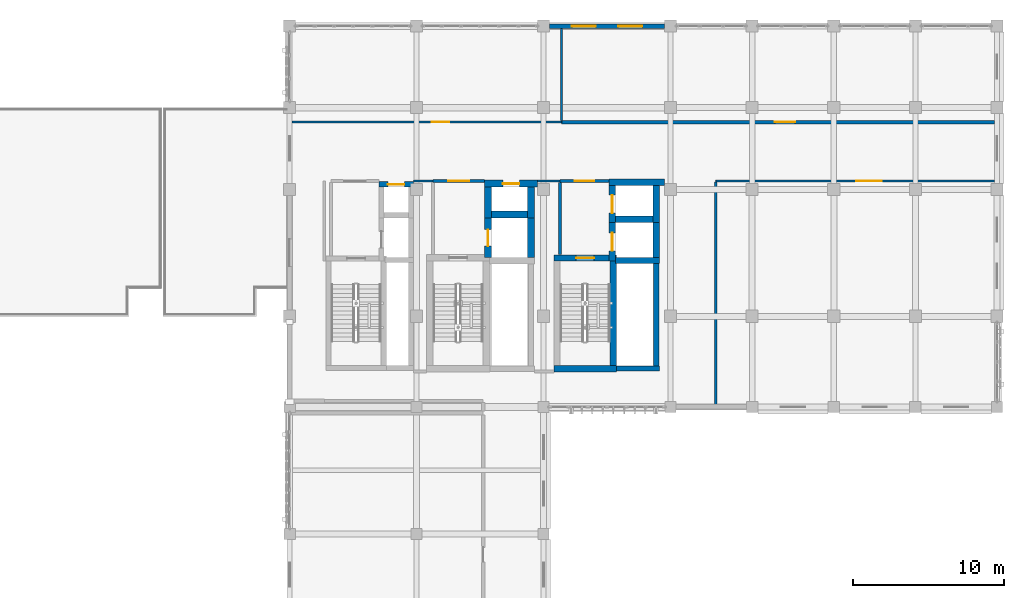
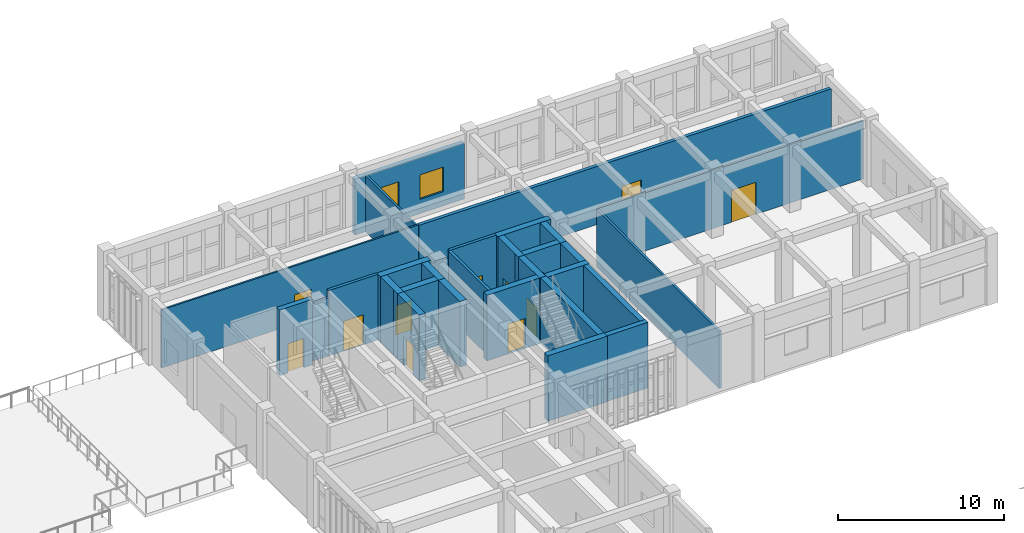
# One storey, part 81 of 93: 30 walls, 11 doors, 2 windows, 13 openings.
"""IFC4 building model written with IfcOpenShell, lengths in metres."""

from ifc_helpers import new_model, si_unit, direction, frame, frame_2d, origin, place, context, subcontext, project, spatial, rectangle, extrude, material, layer, layer_set, type_object, element, fill, save


model = new_model("IFC4")

# Units and contexts
model_context = context("Model", 3, precision=1e-05, world=origin(), true_north=direction((0.0, 1.0)))
body_context = subcontext(model_context, "Body", "Model", "MODEL_VIEW")
ifc_project = project(units=[si_unit("LENGTHUNIT", "METRE"), si_unit("AREAUNIT", "SQUARE_METRE"), si_unit("VOLUMEUNIT", "CUBIC_METRE"), si_unit("PLANEANGLEUNIT", "RADIAN"), si_unit("MASSUNIT", "GRAM", prefix="KILO")], contexts=[model_context])

# Site, building, storey
site_placement = place(None, origin())
site = spatial("IfcSite", under=ifc_project, at=site_placement, CompositionType="ELEMENT")
building_placement = place(site_placement, origin())
building = spatial("IfcBuilding", under=site, at=building_placement, Name="Krzemoval Escarpment Law Courts", CompositionType="ELEMENT")
storey_placement = place(building_placement, frame((0.0, 0.0, 10.199951171875)))
storey = spatial("IfcBuildingStorey", under=building, at=storey_placement, Name="L02", CompositionType="ELEMENT", Elevation=10.199951171875)

# Wall, openings, windows
ifc_material_1 = material(Name="Precast concrete C40/50", Category="concrete")
ifc_layer_1 = layer(ifc_material_1, 0.300048828125)
ifc_layer_set_1 = layer_set([ifc_layer_1], Name="Precast concrete C40/50")
wall_type_1 = type_object("IfcWallType", Name="WL-EXT-300", PredefinedType="SOLIDWALL", material=ifc_layer_set_1)
wall_1_placement = place(storey_placement, frame((143.199951171875, 118.800048828125, 0.0), z_axis=(0.0, 0.0, 1.0), x_axis=(1.0, 0.0, 0.0)))
wall_1 = element("IfcWall", 1, at=wall_1_placement, inside=storey, type_object=wall_type_1, Name="Exterior Wall EW-L02-0310", PredefinedType="SOLIDWALL", context=body_context, shape_type="SweptSolid", body=[
    extrude(rectangle(XDim=7.60009765625, YDim=0.300048828125, at=frame_2d((3.800048828125, 0.0))), origin(), (0.0, 0.0, 1.0), 4.1201171875),
])
opening_1_placement = place(wall_1_placement, frame((1.467041015625, 0.0, 1.050048828125)))
opening_1 = element("IfcOpeningElement", 2, at=opening_1_placement, cuts=wall_1, Name="Opening WN-L02-0338", PredefinedType="OPENING", context=body_context, shape_type="SweptSolid", body=[
    extrude(rectangle(XDim=1.60009765625, YDim=1.800048828125, at=frame_2d((0.800048828125, 0.89990234375))), frame((0.0, 0.16502, 0.0), z_axis=(0.0, -1.0, 0.0), x_axis=(1.0, 0.0, 0.0)), (0.0, 0.0, 1.0), 0.33005),
])
opening_2_placement = place(wall_1_placement, frame((4.532958984375, 0.0, 1.050048828125)))
opening_2 = element("IfcOpeningElement", 3, at=opening_2_placement, cuts=wall_1, Name="Opening WN-L02-0339", PredefinedType="OPENING", context=body_context, shape_type="SweptSolid", body=[
    extrude(rectangle(XDim=1.60009765625, YDim=1.800048828125, at=frame_2d((0.800048828125, 0.89990234375))), frame((0.0, 0.16502, 0.0), z_axis=(0.0, -1.0, 0.0), x_axis=(1.0, 0.0, 0.0)), (0.0, 0.0, 1.0), 0.33005),
])
ifc_material_2 = material(Name="Thermally Broken Aluminium Frame with Triple Low-E Acoustic Glass", Category="aluminium")
window_type = type_object("IfcWindowType", Name="WN-1600x1800", PartitioningType="SINGLE_PANEL", PredefinedType="WINDOW", material=ifc_material_2)
window_1_placement = place(opening_1_placement, origin())
window_1 = element("IfcWindow", 4, at=window_1_placement, inside=storey, type_object=window_type, Name="Facade Window WN-L02-0338", OverallHeight=1.800048828125, OverallWidth=1.60009765625, PartitioningType="SINGLE_PANEL", PredefinedType="WINDOW", context=body_context, shape_type="SweptSolid", body=[
    extrude(rectangle(XDim=1.60009765625, YDim=1.800048828125, at=frame_2d((0.800048828125, 0.89990234375))), frame((0.0, 0.030029296875, 0.0), z_axis=(0.0, -1.0, 0.0), x_axis=(1.0, 0.0, 0.0)), (0.0, 0.0, 1.0), 0.06005859375),
])
fill(opening_1, window_1)
window_2_placement = place(opening_2_placement, origin())
window_2 = element("IfcWindow", 5, at=window_2_placement, inside=storey, type_object=window_type, Name="Facade Window WN-L02-0339", OverallHeight=1.800048828125, OverallWidth=1.60009765625, PartitioningType="SINGLE_PANEL", PredefinedType="WINDOW", context=body_context, shape_type="SweptSolid", body=[
    extrude(rectangle(XDim=1.60009765625, YDim=1.800048828125, at=frame_2d((0.800048828125, 0.89990234375))), frame((0.0, 0.030029296875, 0.0), z_axis=(0.0, -1.0, 0.0), x_axis=(1.0, 0.0, 0.0)), (0.0, 0.0, 1.0), 0.06005859375),
])
fill(opening_2, window_2)

# Wall, opening, door
ifc_material_3 = material(Name="Light Internal Subdivision Partition", Category="gypsum")
ifc_layer_2 = layer(ifc_material_3, 0.114990234375)
ifc_layer_set_2 = layer_set([ifc_layer_2], Name="Light Internal Subdivision Partition")
wall_type_2 = type_object("IfcWallType", Name="WL-PRT-115", PredefinedType="PARTITIONING", material=ifc_layer_set_2)
wall_2_placement = place(storey_placement, frame((126.152099609375, 112.449951171875, 0.0), z_axis=(0.0, 0.0, 1.0), x_axis=(1.0, 0.0, 0.0)))
wall_2 = element("IfcWall", 6, at=wall_2_placement, inside=storey, type_object=wall_type_2, Name="Interior Partition PW-L02-0419", PredefinedType="PARTITIONING", context=body_context, shape_type="SweptSolid", body=[
    extrude(rectangle(XDim=17.847900390625, YDim=0.114990234375, at=frame_2d((8.923828125, 0.0))), origin(), (0.0, 0.0, 1.0), 4.27001953125),
])
opening_3_placement = place(wall_2_placement, frame((9.2490234375, 0.0, 0.0)))
opening_3 = element("IfcOpeningElement", 7, at=opening_3_placement, cuts=wall_2, Name="Opening D-L02-0162", PredefinedType="OPENING", context=body_context, shape_type="SweptSolid", body=[
    extrude(rectangle(XDim=1.14990234375, YDim=2.14990234375, at=frame_2d((0.574951171875, 1.074951171875))), frame((0.0, 0.0725, 0.0), z_axis=(0.0, -1.0, 0.0), x_axis=(1.0, 0.0, 0.0)), (0.0, 0.0, 1.0), 0.14499),
])
ifc_material_4 = material(Name="Engineered Solid-Core Oak Acoustic Timber", Category="wood")
door_type_1 = type_object("IfcDoorType", Name="DR-INT-1150x2150", OperationType="SINGLE_SWING_LEFT", PredefinedType="DOOR", material=ifc_material_4)
door_1_placement = place(opening_3_placement, origin())
door_1 = element("IfcDoor", 8, at=door_1_placement, inside=storey, type_object=door_type_1, Name="Room Door D-L02-0162", OperationType="SINGLE_SWING_LEFT", OverallHeight=2.14990234375, OverallWidth=1.14990234375, PredefinedType="DOOR", context=body_context, shape_type="SweptSolid", body=[
    extrude(rectangle(XDim=1.14990234375, YDim=2.14990234375, at=frame_2d((0.574951171875, 1.074951171875))), frame((0.0, 0.02490234375, 0.0), z_axis=(0.0, -1.0, 0.0), x_axis=(1.0, 0.0, 0.0)), (0.0, 0.0, 1.0), 0.050048828125),
])
fill(opening_3, door_1)

ifc_material_5 = material(Name="Standard Metal-Stud Gypsum Partition", Category="gypsum")
ifc_layer_3 = layer(ifc_material_5, 0.125)
ifc_layer_set_3 = layer_set([ifc_layer_3], Name="Standard Metal-Stud Gypsum Partition")
wall_type_3 = type_object("IfcWallType", Name="WL-PRT-125", PredefinedType="PARTITIONING", material=ifc_layer_set_3)
wall_3_placement = place(storey_placement, frame((154.199951171875, 108.550048828125, 0.0), z_axis=(0.0, 0.0, 1.0), x_axis=(1.0, 0.0, 0.0)))
wall_3 = element("IfcWall", 9, at=wall_3_placement, inside=storey, type_object=wall_type_3, Name="Interior Partition PW-L02-0418", PredefinedType="PARTITIONING", context=body_context, shape_type="SweptSolid", body=[
    extrude(rectangle(XDim=18.447998046875, YDim=0.125, at=frame_2d((9.22412109375, 0.0))), origin(), (0.0, 0.0, 1.0), 4.27001953125),
])
opening_4_placement = place(wall_3_placement, frame((9.27392578125, 0.0, 0.0)))
opening_4 = element("IfcOpeningElement", 10, at=opening_4_placement, cuts=wall_3, Name="Opening D-L02-0164", PredefinedType="OPENING", context=body_context, shape_type="SweptSolid", body=[
    extrude(rectangle(XDim=1.699951171875, YDim=2.35009765625, at=frame_2d((0.85009765625, 1.175048828125))), frame((0.0, 0.0775, 0.0), z_axis=(0.0, -1.0, 0.0), x_axis=(1.0, 0.0, 0.0)), (0.0, 0.0, 1.0), 0.155),
])
ifc_material_6 = material(Name="Engineered Solid-Core Oak Acoustic Timber", Category="wood")
door_type_2 = type_object("IfcDoorType", Name="DR-INT-1700x2350", OperationType="SINGLE_SWING_LEFT", PredefinedType="DOOR", material=ifc_material_6)
door_2_placement = place(opening_4_placement, origin())
door_2 = element("IfcDoor", 11, at=door_2_placement, inside=storey, type_object=door_type_2, Name="Room Door D-L02-0164", OperationType="SINGLE_SWING_LEFT", OverallHeight=2.35009765625, OverallWidth=1.699951171875, PredefinedType="DOOR", context=body_context, shape_type="SweptSolid", body=[
    extrude(rectangle(XDim=1.699951171875, YDim=2.35009765625, at=frame_2d((0.85009765625, 1.175048828125))), frame((0.0, 0.02490234375, 0.0), z_axis=(0.0, -1.0, 0.0), x_axis=(1.0, 0.0, 0.0)), (0.0, 0.0, 1.0), 0.050048828125),
])
fill(opening_4, door_2)

# Walls
ifc_material_7 = material(Name="Sanitary Moisture-Resistant Partition", Category="gypsum")
ifc_layer_4 = layer(ifc_material_7, 0.139892578125)
ifc_layer_set_4 = layer_set([ifc_layer_4], Name="Sanitary Moisture-Resistant Partition")
wall_type_4 = type_object("IfcWallType", Name="WL-PRT-140", PredefinedType="PARTITIONING", material=ifc_layer_set_4)
wall_4_placement = place(storey_placement, frame((142.405029296875, 108.550048828125, 0.0), z_axis=(0.0, 0.0, 1.0), x_axis=(1.0, 0.0, 0.0)))
element("IfcWall", 12, at=wall_4_placement, inside=storey, type_object=wall_type_4, Name="Interior Partition PW-L02-0417", PredefinedType="PARTITIONING", context=body_context, shape_type="SweptSolid", body=[
    extrude(rectangle(XDim=1.494873046875, YDim=0.139892578125, at=frame_2d((0.74755859375, 0.0))), origin(), (0.0, 0.0, 1.0), 4.27001953125),
])
wall_5_placement = place(storey_placement, frame((144.0, 112.56689453125, 0.0), z_axis=(0.0, 0.0, 1.0), x_axis=(0.0, 1.0, 0.0)))
element("IfcWall", 13, at=wall_5_placement, inside=storey, type_object=wall_type_4, Name="Interior Partition PW-L02-0482", PredefinedType="PARTITIONING", context=body_context, shape_type="SweptSolid", body=[
    extrude(rectangle(XDim=6.0810546875, YDim=0.139892578125, at=frame_2d((3.04052734375, 0.0))), origin(), (0.0, 0.0, 1.0), 4.1201171875),
])
ifc_material_8 = material(Name="Office Acoustic Partition Wall", Category="gypsum")
ifc_layer_5 = layer(ifc_material_8, 0.14990234375)
ifc_layer_set_5 = layer_set([ifc_layer_5], Name="Office Acoustic Partition Wall")
wall_type_5 = type_object("IfcWallType", Name="WL-PRT-150", PredefinedType="PARTITIONING", material=ifc_layer_set_5)
wall_6_placement = place(storey_placement, frame((134.199951171875, 108.550048828125, 0.0), z_axis=(0.0, 0.0, 1.0), x_axis=(1.0, 0.0, 0.0)))
element("IfcWall", 14, at=wall_6_placement, inside=storey, type_object=wall_type_5, Name="Interior Partition PW-L02-0416", PredefinedType="PARTITIONING", context=body_context, shape_type="SweptSolid", body=[
    extrude(rectangle(XDim=1.300048828125, YDim=0.14990234375, at=frame_2d((0.64990234375, 0.0))), origin(), (0.0, 0.0, 1.0), 4.27001953125),
])
wall_7_placement = place(storey_placement, frame((154.199951171875, 93.751953125, 0.0), z_axis=(0.0, 0.0, 1.0), x_axis=(0.0, 1.0, 0.0)))
element("IfcWall", 15, at=wall_7_placement, inside=storey, type_object=wall_type_5, Name="Interior Partition PW-L02-0483", PredefinedType="PARTITIONING", context=body_context, shape_type="SweptSolid", body=[
    extrude(rectangle(XDim=14.734130859375, YDim=0.14990234375, at=frame_2d((7.3671875, 0.0))), origin(), (0.0, 0.0, 1.0), 4.219970703125),
])

# Wall, opening, door
ifc_material_9 = material(Name="Fire-Rated Corridor Partition Wall", Category="gypsum")
ifc_layer_6 = layer(ifc_material_9, 0.199951171875)
ifc_layer_set_6 = layer_set([ifc_layer_6], Name="Fire-Rated Corridor Partition Wall")
wall_type_6 = type_object("IfcWallType", Name="WL-PRT-200", PredefinedType="PARTITIONING", material=ifc_layer_set_6)
wall_8_placement = place(storey_placement, frame((135.5, 108.550048828125, 0.0), z_axis=(0.0, 0.0, 1.0), x_axis=(1.0, 0.0, 0.0)))
wall_8 = element("IfcWall", 16, at=wall_8_placement, inside=storey, type_object=wall_type_6, Name="Interior Partition PW-L02-0414", PredefinedType="PARTITIONING", context=body_context, shape_type="SweptSolid", body=[
    extrude(rectangle(XDim=3.39990234375, YDim=0.199951171875, at=frame_2d((1.699951171875, 0.0))), origin(), (0.0, 0.0, 1.0), 4.820068359375),
])
opening_5_placement = place(wall_8_placement, frame((1.0, 0.0, 0.0)))
opening_5 = element("IfcOpeningElement", 17, at=opening_5_placement, cuts=wall_8, Name="Opening D-L02-0127", PredefinedType="OPENING", context=body_context, shape_type="SweptSolid", body=[
    extrude(rectangle(XDim=1.39990234375, YDim=2.199951171875, at=frame_2d((0.699951171875, 1.10009765625))), frame((0.0, 0.11498, 0.0), z_axis=(0.0, -1.0, 0.0), x_axis=(1.0, 0.0, 0.0)), (0.0, 0.0, 1.0), 0.22995),
])
ifc_material_10 = material(Name="Galvanised Steel S355", Category="steel")
door_type_3 = type_object("IfcDoorType", Name="DR-FFL-1400x2200", OperationType="SINGLE_SWING_LEFT", PredefinedType="DOOR", material=ifc_material_10)
door_3_placement = place(opening_5_placement, origin())
door_3 = element("IfcDoor", 18, at=door_3_placement, inside=storey, type_object=door_type_3, Name="Room Door D-L02-0127", OperationType="SINGLE_SWING_LEFT", OverallHeight=2.199951171875, OverallWidth=1.39990234375, PredefinedType="DOOR", context=body_context, shape_type="SweptSolid", body=[
    extrude(rectangle(XDim=1.39990234375, YDim=2.199951171875, at=frame_2d((0.699951171875, 1.10009765625))), frame((0.0, 0.02490234375, 0.0), z_axis=(0.0, -1.0, 0.0), x_axis=(1.0, 0.0, 0.0)), (0.0, 0.0, 1.0), 0.050048828125),
])
fill(opening_5, door_3)

wall_9_placement = place(storey_placement, frame((143.89990234375, 108.550048828125, 0.0), z_axis=(0.0, 0.0, 1.0), x_axis=(1.0, 0.0, 0.0)))
wall_9 = element("IfcWall", 19, at=wall_9_placement, inside=storey, type_object=wall_type_6, Name="Interior Partition PW-L02-0415", PredefinedType="PARTITIONING", context=body_context, shape_type="SweptSolid", body=[
    extrude(rectangle(XDim=3.22998046875, YDim=0.199951171875, at=frame_2d((1.614990234375, 0.0))), origin(), (0.0, 0.0, 1.0), 4.820068359375),
])
opening_6_placement = place(wall_9_placement, frame((0.965087890625, 0.0, 0.0)))
opening_6 = element("IfcOpeningElement", 20, at=opening_6_placement, cuts=wall_9, Name="Opening D-L02-0128", PredefinedType="OPENING", context=body_context, shape_type="SweptSolid", body=[
    extrude(rectangle(XDim=1.300048828125, YDim=2.199951171875, at=frame_2d((0.64990234375, 1.10009765625))), frame((0.0, 0.11498, 0.0), z_axis=(0.0, -1.0, 0.0), x_axis=(1.0, 0.0, 0.0)), (0.0, 0.0, 1.0), 0.22995),
])
ifc_material_11 = material(Name="Galvanised Steel S355", Category="steel")
door_type_4 = type_object("IfcDoorType", Name="DR-STR-1300x2200", OperationType="SINGLE_SWING_LEFT", PredefinedType="DOOR", material=ifc_material_11)
door_4_placement = place(opening_6_placement, origin())
door_4 = element("IfcDoor", 21, at=door_4_placement, inside=storey, type_object=door_type_4, Name="Room Door D-L02-0128", OperationType="SINGLE_SWING_LEFT", OverallHeight=2.199951171875, OverallWidth=1.300048828125, PredefinedType="DOOR", context=body_context, shape_type="SweptSolid", body=[
    extrude(rectangle(XDim=1.300048828125, YDim=2.199951171875, at=frame_2d((0.64990234375, 1.10009765625))), frame((0.0, 0.02490234375, 0.0), z_axis=(0.0, -1.0, 0.0), x_axis=(1.0, 0.0, 0.0)), (0.0, 0.0, 1.0), 0.050048828125),
])
fill(opening_6, door_4)

# Wall
wall_10_placement = place(storey_placement, frame((143.89990234375, 103.672119140625, 0.0), z_axis=(0.0, 0.0, 1.0), x_axis=(0.0, 1.0, 0.0)))
element("IfcWall", 22, at=wall_10_placement, inside=storey, type_object=wall_type_6, Name="Interior Partition PW-L02-0481", PredefinedType="PARTITIONING", context=body_context, shape_type="SweptSolid", body=[
    extrude(rectangle(XDim=4.77587890625, YDim=0.199951171875, at=frame_2d((2.387939453125, 0.0))), origin(), (0.0, 0.0, 1.0), 4.820068359375),
])

# Wall, opening, door
ifc_material_12 = material(Name="Acoustic Calcium-Silicate Block Wall", Category="masonry")
ifc_layer_7 = layer(ifc_material_12, 0.22998046875)
ifc_layer_set_7 = layer_set([ifc_layer_7], Name="Acoustic Calcium-Silicate Block Wall")
wall_type_7 = type_object("IfcWallType", Name="WL-PRT-230", PredefinedType="SOLIDWALL", material=ifc_layer_set_7)
wall_11_placement = place(storey_placement, frame((144.0, 112.449951171875, 0.0), z_axis=(0.0, 0.0, 1.0), x_axis=(1.0, 0.0, 0.0)))
wall_11 = element("IfcWall", 23, at=wall_11_placement, inside=storey, type_object=wall_type_7, Name="Interior Partition PW-L02-0420", PredefinedType="SOLIDWALL", context=body_context, shape_type="SweptSolid", body=[
    extrude(rectangle(XDim=28.64794921875, YDim=0.22998046875, at=frame_2d((14.323974609375, 0.0))), origin(), (0.0, 0.0, 1.0), 4.27001953125),
])
opening_7_placement = place(wall_11_placement, frame((14.09912109375, 0.0, 0.0)))
opening_7 = element("IfcOpeningElement", 24, at=opening_7_placement, cuts=wall_11, Name="Opening D-L02-0163", PredefinedType="OPENING", context=body_context, shape_type="SweptSolid", body=[
    extrude(rectangle(XDim=1.35009765625, YDim=2.199951171875, at=frame_2d((0.675048828125, 1.10009765625))), frame((0.0, 0.12999, 0.0), z_axis=(0.0, -1.0, 0.0), x_axis=(1.0, 0.0, 0.0)), (0.0, 0.0, 1.0), 0.25998),
])
ifc_material_13 = material(Name="Engineered Solid-Core Oak Acoustic Timber", Category="wood")
door_type_5 = type_object("IfcDoorType", Name="DR-INT-1350x2200", OperationType="SINGLE_SWING_LEFT", PredefinedType="DOOR", material=ifc_material_13)
door_5_placement = place(opening_7_placement, origin())
door_5 = element("IfcDoor", 25, at=door_5_placement, inside=storey, type_object=door_type_5, Name="Room Door D-L02-0163", OperationType="SINGLE_SWING_LEFT", OverallHeight=2.199951171875, OverallWidth=1.35009765625, PredefinedType="DOOR", context=body_context, shape_type="SweptSolid", body=[
    extrude(rectangle(XDim=1.35009765625, YDim=2.199951171875, at=frame_2d((0.675048828125, 1.10009765625))), frame((0.0, 0.02490234375, 0.0), z_axis=(0.0, -1.0, 0.0), x_axis=(1.0, 0.0, 0.0)), (0.0, 0.0, 1.0), 0.050048828125),
])
fill(opening_7, door_5)

ifc_material_14 = material(Name="Concrete C40/50", Category="concrete")
ifc_layer_8 = layer(ifc_material_14, 0.35009765625)
ifc_layer_set_8 = layer_set([ifc_layer_8], Name="Concrete C40/50")
wall_type_8 = type_object("IfcWallType", Name="WL-SHW-350", PredefinedType="SHEAR", material=ifc_layer_set_8)
wall_12_placement = place(storey_placement, frame((131.89990234375, 108.324951171875, 0.0), z_axis=(0.0, 0.0, 1.0), x_axis=(1.0, 0.0, 0.0)))
wall_12 = element("IfcWall", 26, at=wall_12_placement, inside=storey, type_object=wall_type_8, Name="Lift Shaft Shear Wall SW-L02-0048", PredefinedType="SHEAR", context=body_context, shape_type="SweptSolid", body=[
    extrude(rectangle(XDim=2.300048828125, YDim=0.35009765625, at=frame_2d((1.14990234375, 0.0))), origin(), (0.0, 0.0, 1.0), 4.820068359375),
])
opening_8_placement = place(wall_12_placement, frame((0.60009765625, 0.0, 0.0)))
opening_8 = element("IfcOpeningElement", 27, at=opening_8_placement, cuts=wall_12, Name="Opening LD-JL1-L02", PredefinedType="OPENING", context=body_context, shape_type="SweptSolid", body=[
    extrude(rectangle(XDim=1.10009765625, YDim=2.14990234375, at=frame_2d((0.550048828125, 1.074951171875))), frame((0.0, 0.19005, 0.0), z_axis=(0.0, -1.0, 0.0), x_axis=(1.0, 0.0, 0.0)), (0.0, 0.0, 1.0), 0.3801),
])
ifc_material_15 = material(Name="Stainless Steel Grade 304", Category="steel")
door_type_6 = type_object("IfcDoorType", Name="DR-LFT-1100x2150", OperationType="SINGLE_SWING_LEFT", PredefinedType="DOOR", material=ifc_material_15)
door_6_placement = place(opening_8_placement, origin())
door_6 = element("IfcDoor", 28, at=door_6_placement, inside=storey, type_object=door_type_6, Name="Lift Landing Door LD-JL1-L02", OperationType="DOUBLE_DOOR_SLIDING", OverallHeight=2.14990234375, OverallWidth=1.10009765625, PredefinedType="DOOR", context=body_context, shape_type="SweptSolid", body=[
    extrude(rectangle(XDim=1.10009765625, YDim=2.14990234375, at=frame_2d((0.550048828125, 1.074951171875))), frame((0.0, 0.02490234375, 0.0), z_axis=(0.0, -1.0, 0.0), x_axis=(1.0, 0.0, 0.0)), (0.0, 0.0, 1.0), 0.050048828125),
])
fill(opening_8, door_6)

# Walls
wall_13_placement = place(storey_placement, frame((147.6201171875, 96.139892578125, 0.0), z_axis=(0.0, 0.0, 1.0), x_axis=(1.0, 0.0, 0.0)))
element("IfcWall", 29, at=wall_13_placement, inside=storey, type_object=wall_type_8, Name="Riser Shaft Wall SW-L02-0351", PredefinedType="SHEAR", context=body_context, shape_type="SweptSolid", body=[
    extrude(rectangle(XDim=2.849853515625, YDim=0.35009765625, at=frame_2d((1.4248046875, 0.0))), origin(), (0.0, 0.0, 1.0), 4.820068359375),
])
wall_14_placement = place(storey_placement, frame((150.260009765625, 96.31005859375, 0.0), z_axis=(0.0, 0.0, 1.0), x_axis=(0.0, 1.0, 0.0)))
element("IfcWall", 30, at=wall_14_placement, inside=storey, type_object=wall_type_8, Name="Riser Shaft Wall SW-L02-0352", PredefinedType="SHEAR", context=body_context, shape_type="SweptSolid", body=[
    extrude(rectangle(XDim=7.197021484375, YDim=0.35009765625, at=frame_2d((3.5986328125, 0.0))), origin(), (0.0, 0.0, 1.0), 4.820068359375),
])

# Wall, opening, door
ifc_material_16 = material(Name="Concrete C40/50", Category="concrete")
ifc_layer_9 = layer(ifc_material_16, 0.419921875)
ifc_layer_set_9 = layer_set([ifc_layer_9], Name="Concrete C40/50")
wall_type_9 = type_object("IfcWallType", Name="WL-SHW-420", PredefinedType="SHEAR", material=ifc_layer_set_9)
wall_15_placement = place(storey_placement, frame((143.47998046875, 103.4599609375, 0.0), z_axis=(0.0, 0.0, 1.0), x_axis=(1.0, 0.0, 0.0)))
wall_15 = element("IfcWall", 31, at=wall_15_placement, inside=storey, type_object=wall_type_9, Name="Core Stair Shear Wall SW-L02-0340", PredefinedType="SHEAR", context=body_context, shape_type="SweptSolid", body=[
    extrude(rectangle(XDim=4.14013671875, YDim=0.419921875, at=frame_2d((2.070068359375, 0.0))), origin(), (0.0, 0.0, 1.0), 4.820068359375),
])
opening_9_placement = place(wall_15_placement, frame((1.469970703125, 0.0, 0.0)))
opening_9 = element("IfcOpeningElement", 32, at=opening_9_placement, cuts=wall_15, Name="Opening SD-ST3-L02", PredefinedType="OPENING", context=body_context, shape_type="SweptSolid", body=[
    extrude(rectangle(XDim=1.199951171875, YDim=2.199951171875, at=frame_2d((0.60009765625, 1.10009765625))), frame((0.0, 0.22496, 0.0), z_axis=(0.0, -1.0, 0.0), x_axis=(1.0, 0.0, 0.0)), (0.0, 0.0, 1.0), 0.44992),
])
ifc_material_17 = material(Name="Galvanised Steel S355", Category="steel")
door_type_7 = type_object("IfcDoorType", Name="DR-STR-1200x2200", OperationType="SINGLE_SWING_LEFT", PredefinedType="DOOR", material=ifc_material_17)
door_7_placement = place(opening_9_placement, origin())
door_7 = element("IfcDoor", 33, at=door_7_placement, inside=storey, type_object=door_type_7, Name="Stair Exit Door SD-ST3-L02", OperationType="SINGLE_SWING_LEFT", OverallHeight=2.199951171875, OverallWidth=1.199951171875, PredefinedType="DOOR", context=body_context, shape_type="SweptSolid", body=[
    extrude(rectangle(XDim=1.199951171875, YDim=2.199951171875, at=frame_2d((0.60009765625, 1.10009765625))), frame((0.0, 0.02490234375, 0.0), z_axis=(0.0, -1.0, 0.0), x_axis=(1.0, 0.0, 0.0)), (0.0, 0.0, 1.0), 0.050048828125),
])
fill(opening_9, door_7)

# Walls
wall_16_placement = place(storey_placement, frame((143.47998046875, 96.139892578125, 0.0), z_axis=(0.0, 0.0, 1.0), x_axis=(1.0, 0.0, 0.0)))
element("IfcWall", 34, at=wall_16_placement, inside=storey, type_object=wall_type_9, Name="Core Stair Shear Wall SW-L02-0341", PredefinedType="SHEAR", context=body_context, shape_type="SweptSolid", body=[
    extrude(rectangle(XDim=4.14013671875, YDim=0.419921875, at=frame_2d((2.070068359375, 0.0))), origin(), (0.0, 0.0, 1.0), 4.820068359375),
])
wall_17_placement = place(storey_placement, frame((147.409912109375, 96.35205078125, 0.0), z_axis=(0.0, 0.0, 1.0), x_axis=(0.0, 1.0, 0.0)))
element("IfcWall", 35, at=wall_17_placement, inside=storey, type_object=wall_type_9, Name="Core Stair Shear Wall SW-L02-0343", PredefinedType="SHEAR", context=body_context, shape_type="SweptSolid", body=[
    extrude(rectangle(XDim=6.89599609375, YDim=0.419921875, at=frame_2d((3.447998046875, 0.0))), origin(), (0.0, 0.0, 1.0), 4.820068359375),
])
wall_18_placement = place(storey_placement, frame((147.572998046875, 103.2900390625, 0.0), z_axis=(0.0, 0.0, 1.0), x_axis=(1.0, 0.0, 0.0)))
element("IfcWall", 36, at=wall_18_placement, inside=storey, type_object=wall_type_9, Name="Lift Shaft Shear Wall SW-L02-0344", PredefinedType="SHEAR", context=body_context, shape_type="SweptSolid", body=[
    extrude(rectangle(XDim=2.89697265625, YDim=0.419921875, at=frame_2d((1.448486328125, 0.0))), origin(), (0.0, 0.0, 1.0), 4.820068359375),
])
wall_19_placement = place(storey_placement, frame((147.1298828125, 106.010009765625, 0.0), z_axis=(0.0, 0.0, 1.0), x_axis=(1.0, 0.0, 0.0)))
element("IfcWall", 37, at=wall_19_placement, inside=storey, type_object=wall_type_9, Name="Lift Shaft Shear Wall SW-L02-0345", PredefinedType="SHEAR", context=body_context, shape_type="SweptSolid", body=[
    extrude(rectangle(XDim=3.340087890625, YDim=0.419921875, at=frame_2d((1.669921875, 0.0))), origin(), (0.0, 0.0, 1.0), 4.820068359375),
])

# Wall, opening, door
wall_20_placement = place(storey_placement, frame((147.340087890625, 103.242919921875, 0.0), z_axis=(0.0, 0.0, 1.0), x_axis=(0.0, 1.0, 0.0)))
wall_20 = element("IfcWall", 38, at=wall_20_placement, inside=storey, type_object=wall_type_9, Name="Lift Shaft Shear Wall SW-L02-0346", PredefinedType="SHEAR", context=body_context, shape_type="SweptSolid", body=[
    extrude(rectangle(XDim=2.55517578125, YDim=0.419921875, at=frame_2d((1.277587890625, 0.0))), origin(), (0.0, 0.0, 1.0), 4.820068359375),
])
opening_10_placement = place(wall_20_placement, frame((0.677978515625, 0.0, 0.0)))
opening_10 = element("IfcOpeningElement", 39, at=opening_10_placement, cuts=wall_20, Name="Opening LD-PL1-L02", PredefinedType="OPENING", context=body_context, shape_type="SweptSolid", body=[
    extrude(rectangle(XDim=1.199951171875, YDim=2.14990234375, at=frame_2d((0.60009765625, 1.074951171875))), frame((0.0, 0.22496, 0.0), z_axis=(0.0, -1.0, 0.0), x_axis=(1.0, 0.0, 0.0)), (0.0, 0.0, 1.0), 0.44992),
])
ifc_material_18 = material(Name="Engineered Solid-Core Oak Acoustic Timber", Category="wood")
door_type_8 = type_object("IfcDoorType", Name="DR-LFT-1200x2150", OperationType="SINGLE_SWING_LEFT", PredefinedType="DOOR", material=ifc_material_18)
door_8_placement = place(opening_10_placement, origin())
door_8 = element("IfcDoor", 40, at=door_8_placement, inside=storey, type_object=door_type_8, Name="Lift Landing Door LD-PL1-L02", OperationType="DOUBLE_DOOR_SLIDING", OverallHeight=2.14990234375, OverallWidth=1.199951171875, PredefinedType="DOOR", context=body_context, shape_type="SweptSolid", body=[
    extrude(rectangle(XDim=1.199951171875, YDim=2.14990234375, at=frame_2d((0.60009765625, 1.074951171875))), frame((0.0, 0.02490234375, 0.0), z_axis=(0.0, -1.0, 0.0), x_axis=(1.0, 0.0, 0.0)), (0.0, 0.0, 1.0), 0.050048828125),
])
fill(opening_10, door_8)

# Walls
wall_21_placement = place(storey_placement, frame((150.260009765625, 103.501953125, 0.0), z_axis=(0.0, 0.0, 1.0), x_axis=(0.0, 1.0, 0.0)))
element("IfcWall", 41, at=wall_21_placement, inside=storey, type_object=wall_type_9, Name="Lift Shaft Shear Wall SW-L02-0347", PredefinedType="SHEAR", context=body_context, shape_type="SweptSolid", body=[
    extrude(rectangle(XDim=2.296142578125, YDim=0.419921875, at=frame_2d((1.14794921875, 0.0))), origin(), (0.0, 0.0, 1.0), 4.820068359375),
])
wall_22_placement = place(storey_placement, frame((147.1298828125, 108.4599609375, 0.0), z_axis=(0.0, 0.0, 1.0), x_axis=(1.0, 0.0, 0.0)))
element("IfcWall", 42, at=wall_22_placement, inside=storey, type_object=wall_type_9, Name="Lift Shaft Shear Wall SW-L02-0348", PredefinedType="SHEAR", context=body_context, shape_type="SweptSolid", body=[
    extrude(rectangle(XDim=3.68017578125, YDim=0.419921875, at=frame_2d((1.840087890625, 0.0))), origin(), (0.0, 0.0, 1.0), 4.820068359375),
])

# Wall, opening, door
wall_23_placement = place(storey_placement, frame((147.340087890625, 105.79296875, 0.0), z_axis=(0.0, 0.0, 1.0), x_axis=(0.0, 1.0, 0.0)))
wall_23 = element("IfcWall", 43, at=wall_23_placement, inside=storey, type_object=wall_type_9, Name="Lift Shaft Shear Wall SW-L02-0349", PredefinedType="SHEAR", context=body_context, shape_type="SweptSolid", body=[
    extrude(rectangle(XDim=2.455078125, YDim=0.419921875, at=frame_2d((1.2275390625, 0.0))), origin(), (0.0, 0.0, 1.0), 4.820068359375),
])
opening_11_placement = place(wall_23_placement, frame((0.626953125, 0.0, 0.0)))
opening_11 = element("IfcOpeningElement", 44, at=opening_11_placement, cuts=wall_23, Name="Opening LD-PL2-L02", PredefinedType="OPENING", context=body_context, shape_type="SweptSolid", body=[
    extrude(rectangle(XDim=1.199951171875, YDim=2.14990234375, at=frame_2d((0.60009765625, 1.074951171875))), frame((0.0, 0.22496, 0.0), z_axis=(0.0, -1.0, 0.0), x_axis=(1.0, 0.0, 0.0)), (0.0, 0.0, 1.0), 0.44992),
])
door_9_placement = place(opening_11_placement, origin())
door_9 = element("IfcDoor", 45, at=door_9_placement, inside=storey, type_object=door_type_8, Name="Lift Landing Door LD-PL2-L02", OperationType="DOUBLE_DOOR_SLIDING", OverallHeight=2.14990234375, OverallWidth=1.199951171875, PredefinedType="DOOR", context=body_context, shape_type="SweptSolid", body=[
    extrude(rectangle(XDim=1.199951171875, YDim=2.14990234375, at=frame_2d((0.60009765625, 1.074951171875))), frame((0.0, 0.02490234375, 0.0), z_axis=(0.0, -1.0, 0.0), x_axis=(1.0, 0.0, 0.0)), (0.0, 0.0, 1.0), 0.050048828125),
])
fill(opening_11, door_9)

# Walls
wall_24_placement = place(storey_placement, frame((150.260009765625, 105.79296875, 0.0), z_axis=(0.0, 0.0, 1.0), x_axis=(0.0, 1.0, 0.0)))
element("IfcWall", 46, at=wall_24_placement, inside=storey, type_object=wall_type_9, Name="Lift Shaft Shear Wall SW-L02-0350", PredefinedType="SHEAR", context=body_context, shape_type="SweptSolid", body=[
    extrude(rectangle(XDim=2.455078125, YDim=0.419921875, at=frame_2d((1.2275390625, 0.0))), origin(), (0.0, 0.0, 1.0), 4.820068359375),
])
ifc_material_19 = material(Name="Concrete C40/50", Category="concrete")
ifc_layer_10 = layer(ifc_material_19, 0.449951171875)
ifc_layer_set_10 = layer_set([ifc_layer_10], Name="Concrete C40/50")
wall_type_10 = type_object("IfcWallType", Name="WL-SHW-450", PredefinedType="SHEAR", material=ifc_layer_set_10)
wall_25_placement = place(storey_placement, frame((138.89990234375, 106.324951171875, 0.0), z_axis=(0.0, 0.0, 1.0), x_axis=(1.0, 0.0, 0.0)))
element("IfcWall", 47, at=wall_25_placement, inside=storey, type_object=wall_type_10, Name="Lift Shaft Shear Wall SW-L02-0195", PredefinedType="SHEAR", context=body_context, shape_type="SweptSolid", body=[
    extrude(rectangle(XDim=3.300048828125, YDim=0.449951171875, at=frame_2d((1.64990234375, 0.0))), origin(), (0.0, 0.0, 1.0), 4.820068359375),
])

# Wall, opening, door
wall_26_placement = place(storey_placement, frame((139.125, 103.47509765625, 0.0), z_axis=(0.0, 0.0, 1.0), x_axis=(0.0, 1.0, 0.0)))
wall_26 = element("IfcWall", 48, at=wall_26_placement, inside=storey, type_object=wall_type_10, Name="Lift Shaft Shear Wall SW-L02-0196", PredefinedType="SHEAR", context=body_context, shape_type="SweptSolid", body=[
    extrude(rectangle(XDim=2.622802734375, YDim=0.449951171875, at=frame_2d((1.3115234375, 0.0))), origin(), (0.0, 0.0, 1.0), 4.820068359375),
])
opening_12_placement = place(wall_26_placement, frame((0.761962890625, 0.0, 0.0)))
opening_12 = element("IfcOpeningElement", 49, at=opening_12_placement, cuts=wall_26, Name="Opening LD-FL2-L02", PredefinedType="OPENING", context=body_context, shape_type="SweptSolid", body=[
    extrude(rectangle(XDim=1.10009765625, YDim=2.14990234375, at=frame_2d((0.550048828125, 1.074951171875))), frame((0.0, 0.23998, 0.0), z_axis=(0.0, -1.0, 0.0), x_axis=(1.0, 0.0, 0.0)), (0.0, 0.0, 1.0), 0.47995),
])
door_10_placement = place(opening_12_placement, origin())
door_10 = element("IfcDoor", 50, at=door_10_placement, inside=storey, type_object=door_type_6, Name="Lift Landing Door LD-FL2-L02", OperationType="DOUBLE_DOOR_SLIDING", OverallHeight=2.14990234375, OverallWidth=1.10009765625, PredefinedType="DOOR", context=body_context, shape_type="SweptSolid", body=[
    extrude(rectangle(XDim=1.10009765625, YDim=2.14990234375, at=frame_2d((0.550048828125, 1.074951171875))), frame((0.0, 0.02490234375, 0.0), z_axis=(0.0, -1.0, 0.0), x_axis=(1.0, 0.0, 0.0)), (0.0, 0.0, 1.0), 0.050048828125),
])
fill(opening_12, door_10)

# Wall
wall_27_placement = place(storey_placement, frame((141.97509765625, 103.501953125, 0.0), z_axis=(0.0, 0.0, 1.0), x_axis=(0.0, 1.0, 0.0)))
element("IfcWall", 51, at=wall_27_placement, inside=storey, type_object=wall_type_10, Name="Lift Shaft Shear Wall SW-L02-0197", PredefinedType="SHEAR", context=body_context, shape_type="SweptSolid", body=[
    extrude(rectangle(XDim=2.595947265625, YDim=0.449951171875, at=frame_2d((1.2978515625, 0.0))), origin(), (0.0, 0.0, 1.0), 4.820068359375),
])

# Wall, opening, door
wall_28_placement = place(storey_placement, frame((138.89990234375, 108.375, 0.0), z_axis=(0.0, 0.0, 1.0), x_axis=(1.0, 0.0, 0.0)))
wall_28 = element("IfcWall", 52, at=wall_28_placement, inside=storey, type_object=wall_type_10, Name="Lift Shaft Shear Wall SW-L02-0198", PredefinedType="SHEAR", context=body_context, shape_type="SweptSolid", body=[
    extrude(rectangle(XDim=3.505126953125, YDim=0.449951171875, at=frame_2d((1.75244140625, 0.0))), origin(), (0.0, 0.0, 1.0), 4.820068359375),
])
opening_13_placement = place(wall_28_placement, frame((1.201904296875, 0.0, 0.0)))
opening_13 = element("IfcOpeningElement", 53, at=opening_13_placement, cuts=wall_28, Name="Opening LD-JL2-L02", PredefinedType="OPENING", context=body_context, shape_type="SweptSolid", body=[
    extrude(rectangle(XDim=1.10009765625, YDim=2.14990234375, at=frame_2d((0.550048828125, 1.074951171875))), frame((0.0, 0.23998, 0.0), z_axis=(0.0, -1.0, 0.0), x_axis=(1.0, 0.0, 0.0)), (0.0, 0.0, 1.0), 0.47995),
])
door_11_placement = place(opening_13_placement, origin())
door_11 = element("IfcDoor", 54, at=door_11_placement, inside=storey, type_object=door_type_6, Name="Lift Landing Door LD-JL2-L02", OperationType="DOUBLE_DOOR_SLIDING", OverallHeight=2.14990234375, OverallWidth=1.10009765625, PredefinedType="DOOR", context=body_context, shape_type="SweptSolid", body=[
    extrude(rectangle(XDim=1.10009765625, YDim=2.14990234375, at=frame_2d((0.550048828125, 1.074951171875))), frame((0.0, 0.02490234375, 0.0), z_axis=(0.0, -1.0, 0.0), x_axis=(1.0, 0.0, 0.0)), (0.0, 0.0, 1.0), 0.050048828125),
])
fill(opening_13, door_11)

# Walls
for number, where, z_axis, x_axis, name in (
    (55, (139.125, 106.093017578125, 0.0), (0.0, 0.0, 1.0), (0.0, 1.0, 0.0), "Lift Shaft Shear Wall SW-L02-0199"),
    (56, (141.97509765625, 106.093017578125, 0.0), (0.0, 0.0, 1.0), (0.0, 1.0, 0.0), "Lift Shaft Shear Wall SW-L02-0200"),
):
    element("IfcWall", number, at=place(storey_placement, frame(where, z_axis=z_axis, x_axis=x_axis)), inside=storey, type_object=wall_type_10, Name=name, PredefinedType="SHEAR", context=body_context, shape_type="SweptSolid", body=[
        extrude(rectangle(XDim=2.054931640625, YDim=0.449951171875, at=frame_2d((1.02734375, 0.0))), origin(), (0.0, 0.0, 1.0), 4.820068359375),
    ])

save(model, "model.ifc")
